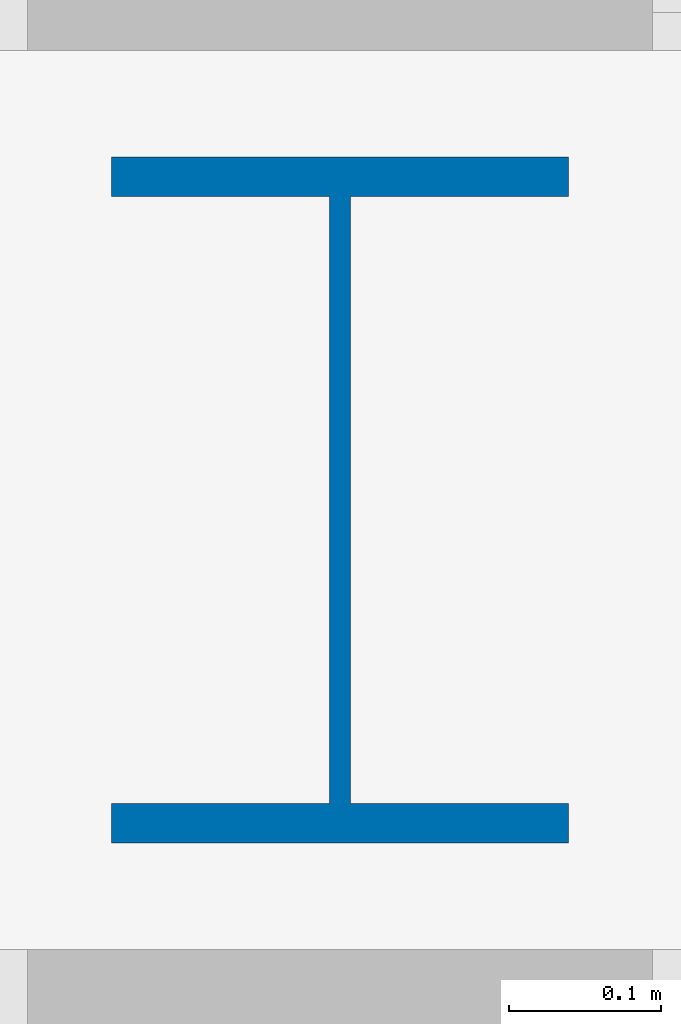
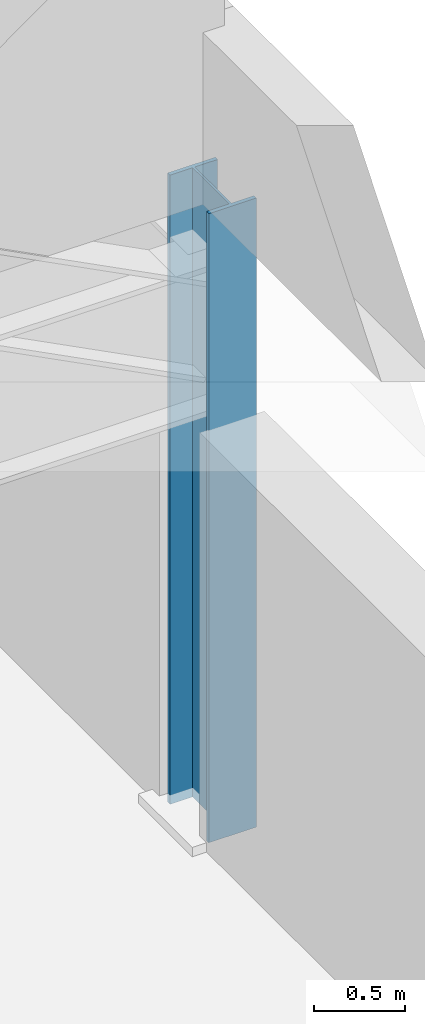
# One storey, part 2 of 84: 1 column.
"""IFC4 building model written with IfcOpenShell, lengths in metres."""

from ifc_helpers import new_model, si_unit, direction, frame, origin, origin_2d, place, context, subcontext, project, spatial, i_section, extrude, material, material_profile, profile_set, type_object, element, save


model = new_model("IFC4")

# Units and contexts
model_context = context("Model", 3, precision=1e-05, world=origin(), true_north=direction((0.0, 1.0)))
body_context = subcontext(model_context, "Body", "Model", "MODEL_VIEW")
ifc_project = project(units=[si_unit("LENGTHUNIT", "METRE"), si_unit("AREAUNIT", "SQUARE_METRE"), si_unit("VOLUMEUNIT", "CUBIC_METRE"), si_unit("PLANEANGLEUNIT", "RADIAN"), si_unit("MASSUNIT", "GRAM", prefix="KILO")], contexts=[model_context])

# Site, building, storey
site_placement = place(None, origin())
site = spatial("IfcSite", under=ifc_project, at=site_placement, CompositionType="ELEMENT")
building_placement = place(site_placement, origin())
building = spatial("IfcBuilding", under=site, at=building_placement, Name="Sundgate Opera House", CompositionType="ELEMENT")
storey_placement = place(building_placement, frame((0.0, 0.0, 30.60009765625)))
storey = spatial("IfcBuildingStorey", under=building, at=storey_placement, Name="L06", CompositionType="ELEMENT", Elevation=30.60009765625)

# Column
ifc_material = material(Name="Steel S355J2", Category="steel")
ifc_material_profile = material_profile(ifc_material, i_section(OverallWidth=0.300048828125, OverallDepth=0.449951171875, WebThickness=0.013916015625, FlangeThickness=0.02587890625, at=origin_2d()), Name="HEB 450")
ifc_profile_set = profile_set([ifc_material_profile], Name="Steel S355J2")
column_type = type_object("IfcColumnType", Name="CL-STL-450", PredefinedType="COLUMN", material=ifc_profile_set)
column_placement = place(storey_placement, frame((81.0, 60.0, 0.0), z_axis=(0.0, 0.0, 1.0), x_axis=(1.0, 0.0, 0.0)))
element("IfcColumn", 1, at=column_placement, inside=storey, type_object=column_type, Name="L06 Column C0549", PredefinedType="COLUMN", context=body_context, shape_type="SweptSolid", body=[
    extrude(i_section(OverallWidth=0.300048828125, OverallDepth=0.449951171875, WebThickness=0.013916015625, FlangeThickness=0.02587890625, at=origin_2d()), origin(), (0.0, 0.0, 1.0), 4.199951171875),
])

save(model, "model.ifc")
